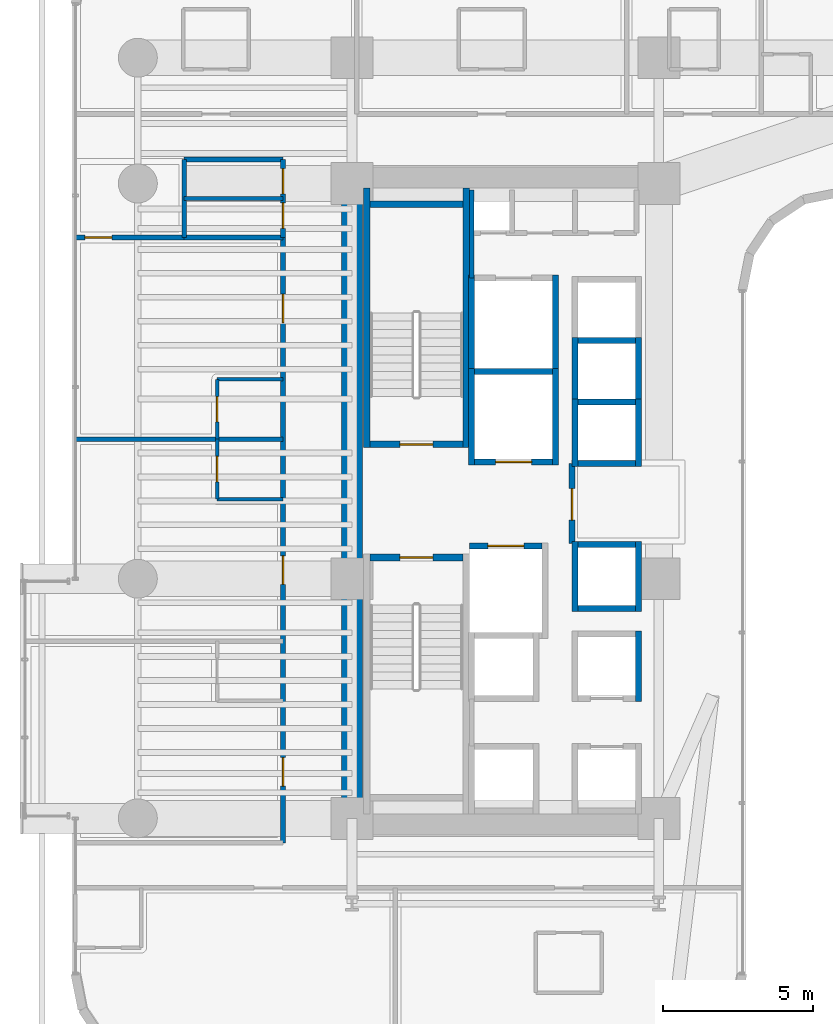
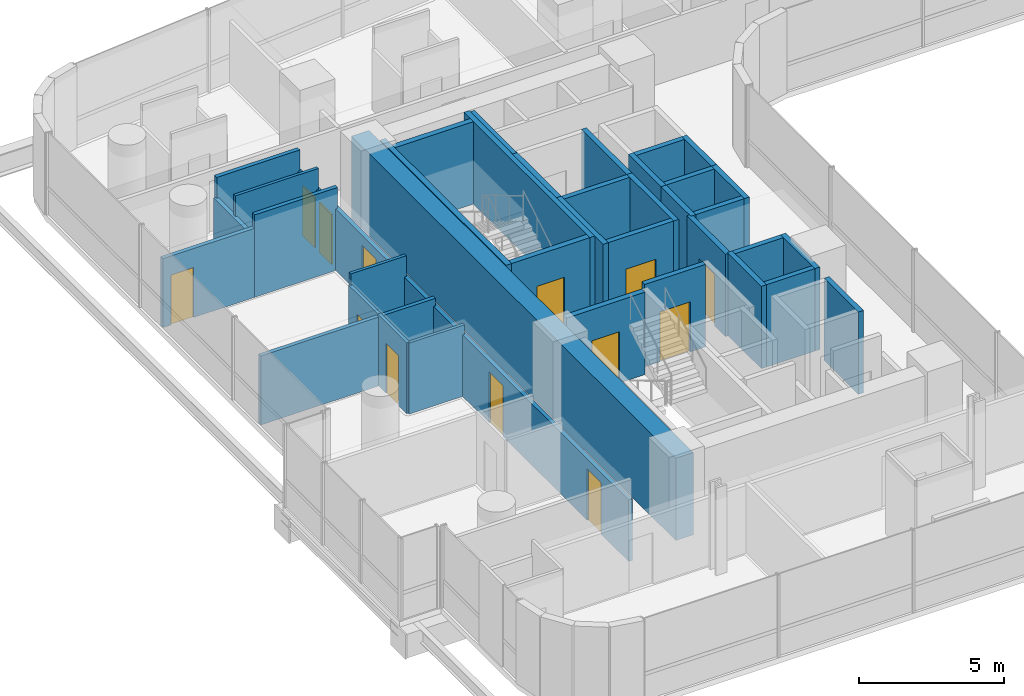
# One storey, part 39 of 50: 39 walls, 13 doors, 13 openings.
"""IFC4 building model written with IfcOpenShell, lengths in metres."""

from ifc_helpers import new_model, si_unit, direction, frame, frame_2d, origin, place, context, subcontext, project, spatial, rectangle, extrude, material, layer, layer_set, type_object, element, fill, save


model = new_model("IFC4")

# Units and contexts
model_context = context("Model", 3, precision=1e-05, world=origin(), true_north=direction((0.0, 1.0)))
body_context = subcontext(model_context, "Body", "Model", "MODEL_VIEW")
ifc_project = project(units=[si_unit("LENGTHUNIT", "METRE"), si_unit("AREAUNIT", "SQUARE_METRE"), si_unit("VOLUMEUNIT", "CUBIC_METRE"), si_unit("PLANEANGLEUNIT", "RADIAN"), si_unit("MASSUNIT", "GRAM", prefix="KILO")], contexts=[model_context])

# Site, building, storey
site_placement = place(None, origin())
site = spatial("IfcSite", under=ifc_project, at=site_placement, CompositionType="ELEMENT")
building_placement = place(site_placement, origin())
building = spatial("IfcBuilding", under=site, at=building_placement, Name="Valdorenza Pilgrim Sanctuary Tower", CompositionType="ELEMENT")
storey_placement = place(building_placement, frame((0.0, 0.0, 26.0)))
storey = spatial("IfcBuildingStorey", under=building, at=storey_placement, Name="L05", CompositionType="ELEMENT", Elevation=26.0)

# Walls
ifc_material_1 = material(Name="Acoustic twin-stud gypsum partition", Category="gypsum")
ifc_layer_1 = layer(ifc_material_1, 0.159912109375, Name="Acoustic twin-stud gypsum partition")
ifc_layer_set_1 = layer_set([ifc_layer_1], Name="Acoustic twin-stud gypsum partition")
wall_type_1 = type_object("IfcWallType", Name="WAL-COR-160", PredefinedType="PARTITIONING", material=ifc_layer_set_1)
wall_1_placement = place(storey_placement, frame((-18.64990234375, 7.449951171875, 0.0), z_axis=(0.0, 0.0, 1.0), x_axis=(0.0, 1.0, 0.0)))
element("IfcWall", 1, at=wall_1_placement, inside=storey, type_object=wall_type_1, Name="L05 Core A North Service West Wall", PredefinedType="PARTITIONING", context=body_context, shape_type="SweptSolid", body=[
    extrude(rectangle(XDim=2.929931640625, YDim=0.159912109375, at=frame_2d((1.46484375, 0.0))), origin(), (0.0, 0.0, 1.0), 3.4599609375),
])
wall_2_placement = place(storey_placement, frame((-28.25, 8.800048828125, 0.0), z_axis=(0.0, 0.0, 1.0), x_axis=(0.0, 1.0, 0.0)))
element("IfcWall", 2, at=wall_2_placement, inside=storey, type_object=wall_type_1, Name="L05 Washroom West Wall", PredefinedType="PARTITIONING", context=body_context, shape_type="SweptSolid", body=[
    extrude(rectangle(XDim=2.599853515625, YDim=0.159912109375, at=frame_2d((1.2998046875, 0.0))), origin(), (0.0, 0.0, 1.0), 2.5830078125),
])

# Wall, openings, doors
wall_3_placement = place(storey_placement, frame((-24.949951171875, 8.800048828125, 0.0), z_axis=(0.0, 0.0, 1.0), x_axis=(0.0, 1.0, 0.0)))
wall_3 = element("IfcWall", 3, at=wall_3_placement, inside=storey, type_object=wall_type_1, Name="L05 Washroom East Wall", PredefinedType="PARTITIONING", context=body_context, shape_type="SweptSolid", body=[
    extrude(rectangle(XDim=2.599853515625, YDim=0.159912109375, at=frame_2d((1.2998046875, 0.0))), origin(), (0.0, 0.0, 1.0), 2.5830078125),
])
opening_1_placement = place(wall_3_placement, frame((0.300048828125, 0.0, 0.0)))
opening_1 = element("IfcOpeningElement", 4, at=opening_1_placement, cuts=wall_3, Name="Opening DR-WC1", PredefinedType="OPENING", context=body_context, shape_type="SweptSolid", body=[
    extrude(rectangle(XDim=0.85009765625, YDim=2.10009765625, at=frame_2d((0.425048828125, 1.050048828125))), frame((0.0, 0.0947265625, 0.0), z_axis=(0.0, -1.0, 0.0), x_axis=(1.0, 0.0, 0.0)), (0.0, 0.0, 1.0), 0.189697265625),
])
opening_2_placement = place(wall_3_placement, frame((1.449951171875, 0.0, 0.0)))
opening_2 = element("IfcOpeningElement", 5, at=opening_2_placement, cuts=wall_3, Name="Opening DR-WC1", PredefinedType="OPENING", context=body_context, shape_type="SweptSolid", body=[
    extrude(rectangle(XDim=0.85009765625, YDim=2.10009765625, at=frame_2d((0.425048828125, 1.050048828125))), frame((0.0, 0.0947265625, 0.0), z_axis=(0.0, -1.0, 0.0), x_axis=(1.0, 0.0, 0.0)), (0.0, 0.0, 1.0), 0.189697265625),
])
ifc_material_2 = material(Name="Moisture-resistant lacquered timber", Category="wood")
door_type_1 = type_object("IfcDoorType", Name="DR-BATH-850", OperationType="NOTDEFINED", PredefinedType="DOOR", material=ifc_material_2)
door_1_placement = place(opening_1_placement, origin())
door_1 = element("IfcDoor", 6, at=door_1_placement, inside=storey, type_object=door_type_1, Name="L05 Accessible Washroom Door", OperationType="SINGLE_SWING_RIGHT", OverallHeight=2.10009765625, OverallWidth=0.85009765625, PredefinedType="DOOR", context=body_context, shape_type="SweptSolid", body=[
    extrude(rectangle(XDim=0.85009765625, YDim=2.10009765625, at=frame_2d((0.425048828125, 1.050048828125))), frame((0.0, 0.02490234375, 0.0), z_axis=(0.0, -1.0, 0.0), x_axis=(1.0, 0.0, 0.0)), (0.0, 0.0, 1.0), 0.050048828125),
])
fill(opening_1, door_1)
door_2_placement = place(opening_2_placement, origin())
door_2 = element("IfcDoor", 7, at=door_2_placement, inside=storey, type_object=door_type_1, Name="L05 Public Washroom Door", OperationType="SINGLE_SWING_LEFT", OverallHeight=2.10009765625, OverallWidth=0.85009765625, PredefinedType="DOOR", context=body_context, shape_type="SweptSolid", body=[
    extrude(rectangle(XDim=0.85009765625, YDim=2.10009765625, at=frame_2d((0.425048828125, 1.050048828125))), frame((0.0, 0.02490234375, 0.0), z_axis=(0.0, -1.0, 0.0), x_axis=(1.0, 0.0, 0.0)), (0.0, 0.0, 1.0), 0.050048828125),
])
fill(opening_2, door_2)

# Walls
for number, where, z_axis, x_axis, name in (
    (8, (-28.25, 8.800048828125, 0.0), (0.0, 0.0, 1.0), (1.0, 0.0, 0.0), "L05 Washroom South Wall"),
    (9, (-28.25, 11.39990234375, 0.0), (0.0, 0.0, 1.0), (1.0, 0.0, 0.0), "L05 Washroom North Wall"),
):
    element("IfcWall", number, at=place(storey_placement, frame(where, z_axis=z_axis, x_axis=x_axis)), inside=storey, type_object=wall_type_1, Name=name, PredefinedType="PARTITIONING", context=body_context, shape_type="SweptSolid", body=[
        extrude(rectangle(XDim=3.300048828125, YDim=0.159912109375, at=frame_2d((1.64990234375, 0.0))), origin(), (0.0, 0.0, 1.0), 3.4599609375),
    ])

# Wall, openings, doors
wall_4_placement = place(storey_placement, frame((-24.949951171875, -11.419921875, 0.0), z_axis=(0.0, 0.0, 1.0), x_axis=(0.0, 1.0, 0.0)))
wall_4 = element("IfcWall", 10, at=wall_4_placement, inside=storey, type_object=wall_type_1, Name="L05 West Wing Corridor Wall", PredefinedType="PARTITIONING", context=body_context, shape_type="SweptSolid", body=[
    extrude(rectangle(XDim=20.219970703125, YDim=0.159912109375, at=frame_2d((10.10986328125, 0.0))), origin(), (0.0, 0.0, 1.0), 2.5830078125),
])
opening_3_placement = place(wall_4_placement, frame((1.89501953125, 0.0, 0.0)))
opening_3 = element("IfcOpeningElement", 11, at=opening_3_placement, cuts=wall_4, Name="Opening DR-UN1", PredefinedType="OPENING", context=body_context, shape_type="SweptSolid", body=[
    extrude(rectangle(XDim=0.949951171875, YDim=2.14990234375, at=frame_2d((0.47509765625, 1.074951171875))), frame((0.0, 0.0947265625, 0.0), z_axis=(0.0, -1.0, 0.0), x_axis=(1.0, 0.0, 0.0)), (0.0, 0.0, 1.0), 0.189697265625),
])
opening_4_placement = place(wall_4_placement, frame((8.635009765625, 0.0, 0.0)))
opening_4 = element("IfcOpeningElement", 12, at=opening_4_placement, cuts=wall_4, Name="Opening DR-UN1", PredefinedType="OPENING", context=body_context, shape_type="SweptSolid", body=[
    extrude(rectangle(XDim=0.949951171875, YDim=2.14990234375, at=frame_2d((0.47509765625, 1.074951171875))), frame((0.0, 0.0947265625, 0.0), z_axis=(0.0, -1.0, 0.0), x_axis=(1.0, 0.0, 0.0)), (0.0, 0.0, 1.0), 0.189697265625),
])
opening_5_placement = place(wall_4_placement, frame((17.375, 0.0, 0.0)))
opening_5 = element("IfcOpeningElement", 13, at=opening_5_placement, cuts=wall_4, Name="Opening DR-UN1", PredefinedType="OPENING", context=body_context, shape_type="SweptSolid", body=[
    extrude(rectangle(XDim=0.949951171875, YDim=2.14990234375, at=frame_2d((0.47509765625, 1.074951171875))), frame((0.0, 0.0947265625, 0.0), z_axis=(0.0, -1.0, 0.0), x_axis=(1.0, 0.0, 0.0)), (0.0, 0.0, 1.0), 0.189697265625),
])
ifc_material_3 = material(Name="Solid-core European oak timber", Category="wood")
door_type_2 = type_object("IfcDoorType", Name="DR-UNIT-950", OperationType="NOTDEFINED", PredefinedType="DOOR", material=ifc_material_3)
door_3_placement = place(opening_3_placement, frame((0.949951171875, 0.0, 0.0), z_axis=(0.0, 0.0, 1.0), x_axis=(-1.0, 0.0, 0.0)))
door_3 = element("IfcDoor", 14, at=door_3_placement, inside=storey, type_object=door_type_2, Name="L05 Pilgrim Guest Room L05-W1 Entrance Door", OperationType="SINGLE_SWING_LEFT", OverallHeight=2.14990234375, OverallWidth=0.949951171875, PredefinedType="DOOR", context=body_context, shape_type="SweptSolid", body=[
    extrude(rectangle(XDim=0.949951171875, YDim=2.14990234375, at=frame_2d((0.47509765625, 1.074951171875))), frame((0.0, 0.02490234375, 0.0), z_axis=(0.0, -1.0, 0.0), x_axis=(1.0, 0.0, 0.0)), (0.0, 0.0, 1.0), 0.050048828125),
])
fill(opening_3, door_3)
door_4_placement = place(opening_4_placement, frame((0.949951171875, 0.0, 0.0), z_axis=(0.0, 0.0, 1.0), x_axis=(-1.0, 0.0, 0.0)))
door_4 = element("IfcDoor", 15, at=door_4_placement, inside=storey, type_object=door_type_2, Name="L05 Pilgrim Guest Room L05-W2 Entrance Door", OperationType="SINGLE_SWING_LEFT", OverallHeight=2.14990234375, OverallWidth=0.949951171875, PredefinedType="DOOR", context=body_context, shape_type="SweptSolid", body=[
    extrude(rectangle(XDim=0.949951171875, YDim=2.14990234375, at=frame_2d((0.47509765625, 1.074951171875))), frame((0.0, 0.02490234375, 0.0), z_axis=(0.0, -1.0, 0.0), x_axis=(1.0, 0.0, 0.0)), (0.0, 0.0, 1.0), 0.050048828125),
])
fill(opening_4, door_4)
door_5_placement = place(opening_5_placement, frame((0.949951171875, 0.0, 0.0), z_axis=(0.0, 0.0, 1.0), x_axis=(-1.0, 0.0, 0.0)))
door_5 = element("IfcDoor", 16, at=door_5_placement, inside=storey, type_object=door_type_2, Name="L05 Pilgrim Guest Room L05-W3 Entrance Door", OperationType="SINGLE_SWING_LEFT", OverallHeight=2.14990234375, OverallWidth=0.949951171875, PredefinedType="DOOR", context=body_context, shape_type="SweptSolid", body=[
    extrude(rectangle(XDim=0.949951171875, YDim=2.14990234375, at=frame_2d((0.47509765625, 1.074951171875))), frame((0.0, 0.02490234375, 0.0), z_axis=(0.0, -1.0, 0.0), x_axis=(1.0, 0.0, 0.0)), (0.0, 0.0, 1.0), 0.050048828125),
])
fill(opening_5, door_5)

# Wall, opening, door
wall_5_placement = place(storey_placement, frame((-31.889892578125, 8.800048828125, 0.0), z_axis=(0.0, 0.0, 1.0), x_axis=(1.0, 0.0, 0.0)))
wall_5 = element("IfcWall", 17, at=wall_5_placement, inside=storey, type_object=wall_type_1, Name="L05 West North Alcove Wall", PredefinedType="PARTITIONING", context=body_context, shape_type="SweptSolid", body=[
    extrude(rectangle(XDim=3.639892578125, YDim=0.159912109375, at=frame_2d((1.81982421875, 0.0))), origin(), (0.0, 0.0, 1.0), 2.89599609375),
])
opening_6_placement = place(wall_5_placement, frame((0.320068359375, 0.0, 0.0)))
opening_6 = element("IfcOpeningElement", 18, at=opening_6_placement, cuts=wall_5, Name="Opening DR-RM1", PredefinedType="OPENING", context=body_context, shape_type="SweptSolid", body=[
    extrude(rectangle(XDim=0.89990234375, YDim=2.10009765625, at=frame_2d((0.449951171875, 1.050048828125))), frame((0.0, 0.0947265625, 0.0), z_axis=(0.0, -1.0, 0.0), x_axis=(1.0, 0.0, 0.0)), (0.0, 0.0, 1.0), 0.189697265625),
])
door_type_3 = type_object("IfcDoorType", Name="DR-ROOM-900", OperationType="NOTDEFINED", PredefinedType="DOOR", material=ifc_material_3)
door_6_placement = place(opening_6_placement, origin())
door_6 = element("IfcDoor", 19, at=door_6_placement, inside=storey, type_object=door_type_3, Name="L05 Pilgrim Scholar Office L05-WN Door", OperationType="SINGLE_SWING_RIGHT", OverallHeight=2.10009765625, OverallWidth=0.89990234375, PredefinedType="DOOR", context=body_context, shape_type="SweptSolid", body=[
    extrude(rectangle(XDim=0.89990234375, YDim=2.10009765625, at=frame_2d((0.449951171875, 1.050048828125))), frame((0.0, 0.02490234375, 0.0), z_axis=(0.0, -1.0, 0.0), x_axis=(1.0, 0.0, 0.0)), (0.0, 0.0, 1.0), 0.050048828125),
])
fill(opening_6, door_6)

# Wall
ifc_material_4 = material(Name="Concrete C60/75", Category="concrete")
ifc_layer_2 = layer(ifc_material_4, 0.699951171875, Name="Concrete C60/75")
ifc_layer_set_2 = layer_set([ifc_layer_2], Name="Concrete C60/75")
wall_type_2 = type_object("IfcWallType", Name="WAL-COR-700", PredefinedType="SHEAR", material=ifc_layer_set_2)
wall_6_placement = place(storey_placement, frame((-22.64990234375, -11.14990234375, 0.0), z_axis=(0.0, 0.0, 1.0), x_axis=(0.0, 1.0, 0.0)))
element("IfcWall", 20, at=wall_6_placement, inside=storey, type_object=wall_type_2, Name="L05 Split Core A Shear Wall W", PredefinedType="SHEAR", context=body_context, shape_type="SweptSolid", body=[
    extrude(rectangle(XDim=22.2998046875, YDim=0.699951171875, at=frame_2d((11.14990234375, 0.0))), origin(), (0.0, 0.0, 1.0), 3.4599609375),
])

# Wall, opening, door
ifc_material_5 = material(Name="Gypsum shaftwall partition", Category="gypsum")
ifc_layer_3 = layer(ifc_material_5, 0.199951171875, Name="Gypsum shaftwall partition")
ifc_layer_set_3 = layer_set([ifc_layer_3], Name="Gypsum shaftwall partition")
wall_type_3 = type_object("IfcWallType", Name="WAL-FFL-200", PredefinedType="PARTITIONING", material=ifc_layer_set_3)
wall_7_placement = place(storey_placement, frame((-15.300048828125, -1.419921875, 0.0), z_axis=(0.0, 0.0, 1.0), x_axis=(0.0, 1.0, 0.0)))
wall_7 = element("IfcWall", 21, at=wall_7_placement, inside=storey, type_object=wall_type_3, Name="L05 Core A Firefighting Lobby East Wall", PredefinedType="PARTITIONING", context=body_context, shape_type="SweptSolid", body=[
    extrude(rectangle(XDim=2.669921875, YDim=0.199951171875, at=frame_2d((1.3349609375, 0.0))), origin(), (0.0, 0.0, 1.0), 3.4599609375),
])
opening_7_placement = place(wall_7_placement, frame((0.780029296875, 0.0, 0.0)))
opening_7 = element("IfcOpeningElement", 22, at=opening_7_placement, cuts=wall_7, Name="Opening DR-FL1", PredefinedType="OPENING", context=body_context, shape_type="SweptSolid", body=[
    extrude(rectangle(XDim=1.050048828125, YDim=2.14990234375, at=frame_2d((0.52490234375, 1.074951171875))), frame((0.0, 0.11474609375, 0.0), z_axis=(0.0, -1.0, 0.0), x_axis=(1.0, 0.0, 0.0)), (0.0, 0.0, 1.0), 0.229736328125),
])
ifc_material_6 = material(Name="Painted galvanized steel", Category="steel")
door_type_4 = type_object("IfcDoorType", Name="DR-FFL-1050", OperationType="NOTDEFINED", PredefinedType="DOOR", material=ifc_material_6)
door_7_placement = place(opening_7_placement, origin())
door_7 = element("IfcDoor", 23, at=door_7_placement, inside=storey, type_object=door_type_4, Name="L05 Core A Firefighting Lobby Door", OperationType="SINGLE_SWING_RIGHT", OverallHeight=2.14990234375, OverallWidth=1.050048828125, PredefinedType="DOOR", context=body_context, shape_type="SweptSolid", body=[
    extrude(rectangle(XDim=1.050048828125, YDim=2.14990234375, at=frame_2d((0.52490234375, 1.074951171875))), frame((0.0, 0.02490234375, 0.0), z_axis=(0.0, -1.0, 0.0), x_axis=(1.0, 0.0, 0.0)), (0.0, 0.0, 1.0), 0.050048828125),
])
fill(opening_7, door_7)

# Walls
ifc_material_7 = material(Name="Moisture-resistant gypsum partition", Category="gypsum")
ifc_layer_4 = layer(ifc_material_7, 0.1201171875, Name="Moisture-resistant gypsum partition")
ifc_layer_set_4 = layer_set([ifc_layer_4], Name="Moisture-resistant gypsum partition")
wall_type_4 = type_object("IfcWallType", Name="WAL-INT-120", PredefinedType="PARTITIONING", material=ifc_layer_set_4)
wall_8_placement = place(storey_placement, frame((-28.25, 10.10009765625, 0.0), z_axis=(0.0, 0.0, 1.0), x_axis=(1.0, 0.0, 0.0)))
element("IfcWall", 24, at=wall_8_placement, inside=storey, type_object=wall_type_4, Name="L05 Washroom Divider Wall", PredefinedType="PARTITIONING", context=body_context, shape_type="SweptSolid", body=[
    extrude(rectangle(XDim=3.300048828125, YDim=0.1201171875, at=frame_2d((1.64990234375, 0.0))), origin(), (0.0, 0.0, 1.0), 3.4599609375),
])
wall_9_placement = place(storey_placement, frame((-27.14990234375, 0.06005859375, 0.0), z_axis=(0.0, 0.0, 1.0), x_axis=(1.0, 0.0, 0.0)))
element("IfcWall", 25, at=wall_9_placement, inside=storey, type_object=wall_type_4, Name="L05 Pilgrim Guest Room L05-W2 En-suite South Wall", PredefinedType="PARTITIONING", context=body_context, shape_type="SweptSolid", body=[
    extrude(rectangle(XDim=2.199951171875, YDim=0.1201171875, at=frame_2d((1.10009765625, 0.0))), origin(), (0.0, 0.0, 1.0), 2.97900390625),
])

# Wall, opening, door
wall_10_placement = place(storey_placement, frame((-27.14990234375, 0.06005859375, 0.0), z_axis=(0.0, 0.0, 1.0), x_axis=(0.0, 1.0, 0.0)))
wall_10 = element("IfcWall", 26, at=wall_10_placement, inside=storey, type_object=wall_type_4, Name="L05 Pilgrim Guest Room L05-W2 En-suite Door Wall", PredefinedType="PARTITIONING", context=body_context, shape_type="SweptSolid", body=[
    extrude(rectangle(XDim=2.0, YDim=0.1201171875, at=frame_2d((1.0, 0.0))), origin(), (0.0, 0.0, 1.0), 2.97900390625),
])
opening_8_placement = place(wall_10_placement, frame((0.574951171875, 0.0, 0.0)))
opening_8 = element("IfcOpeningElement", 27, at=opening_8_placement, cuts=wall_10, Name="Opening DR-WC1", PredefinedType="OPENING", context=body_context, shape_type="SweptSolid", body=[
    extrude(rectangle(XDim=0.85009765625, YDim=2.10009765625, at=frame_2d((0.425048828125, 1.050048828125))), frame((0.0, 0.074951171875, 0.0), z_axis=(0.0, -1.0, 0.0), x_axis=(1.0, 0.0, 0.0)), (0.0, 0.0, 1.0), 0.14990234375),
])
door_8_placement = place(opening_8_placement, origin())
door_8 = element("IfcDoor", 28, at=door_8_placement, inside=storey, type_object=door_type_1, Name="L05 Pilgrim Guest Room L05-W2 En-suite Bathroom Door", OperationType="SINGLE_SWING_RIGHT", OverallHeight=2.10009765625, OverallWidth=0.85009765625, PredefinedType="DOOR", context=body_context, shape_type="SweptSolid", body=[
    extrude(rectangle(XDim=0.85009765625, YDim=2.10009765625, at=frame_2d((0.425048828125, 1.050048828125))), frame((0.0, 0.02490234375, 0.0), z_axis=(0.0, -1.0, 0.0), x_axis=(1.0, 0.0, 0.0)), (0.0, 0.0, 1.0), 0.050048828125),
])
fill(opening_8, door_8)

# Wall
wall_11_placement = place(storey_placement, frame((-27.14990234375, 4.06005859375, 0.0), z_axis=(0.0, 0.0, 1.0), x_axis=(1.0, 0.0, 0.0)))
element("IfcWall", 29, at=wall_11_placement, inside=storey, type_object=wall_type_4, Name="L05 Pilgrim Guest Room L05-W3 En-suite North Wall", PredefinedType="PARTITIONING", context=body_context, shape_type="SweptSolid", body=[
    extrude(rectangle(XDim=2.199951171875, YDim=0.1201171875, at=frame_2d((1.10009765625, 0.0))), origin(), (0.0, 0.0, 1.0), 3.4599609375),
])

# Wall, opening, door
wall_12_placement = place(storey_placement, frame((-27.14990234375, 2.06005859375, 0.0), z_axis=(0.0, 0.0, 1.0), x_axis=(0.0, 1.0, 0.0)))
wall_12 = element("IfcWall", 30, at=wall_12_placement, inside=storey, type_object=wall_type_4, Name="L05 Pilgrim Guest Room L05-W3 En-suite Door Wall", PredefinedType="PARTITIONING", context=body_context, shape_type="SweptSolid", body=[
    extrude(rectangle(XDim=2.0, YDim=0.1201171875, at=frame_2d((1.0, 0.0))), origin(), (0.0, 0.0, 1.0), 2.97900390625),
])
opening_9_placement = place(wall_12_placement, frame((0.574951171875, 0.0, 0.0)))
opening_9 = element("IfcOpeningElement", 31, at=opening_9_placement, cuts=wall_12, Name="Opening DR-WC1", PredefinedType="OPENING", context=body_context, shape_type="SweptSolid", body=[
    extrude(rectangle(XDim=0.85009765625, YDim=2.10009765625, at=frame_2d((0.425048828125, 1.050048828125))), frame((0.0, 0.074951171875, 0.0), z_axis=(0.0, -1.0, 0.0), x_axis=(1.0, 0.0, 0.0)), (0.0, 0.0, 1.0), 0.14990234375),
])
door_9_placement = place(opening_9_placement, origin())
door_9 = element("IfcDoor", 32, at=door_9_placement, inside=storey, type_object=door_type_1, Name="L05 Pilgrim Guest Room L05-W3 En-suite Bathroom Door", OperationType="SINGLE_SWING_RIGHT", OverallHeight=2.10009765625, OverallWidth=0.85009765625, PredefinedType="DOOR", context=body_context, shape_type="SweptSolid", body=[
    extrude(rectangle(XDim=0.85009765625, YDim=2.10009765625, at=frame_2d((0.425048828125, 1.050048828125))), frame((0.0, 0.02490234375, 0.0), z_axis=(0.0, -1.0, 0.0), x_axis=(1.0, 0.0, 0.0)), (0.0, 0.0, 1.0), 0.050048828125),
])
fill(opening_9, door_9)

# Walls
ifc_material_8 = material(Name="Autoclaved aerated concrete blockwork", Category="masonry")
ifc_layer_5 = layer(ifc_material_8, 0.199951171875, Name="Autoclaved aerated concrete blockwork")
ifc_layer_set_5 = layer_set([ifc_layer_5], Name="Autoclaved aerated concrete blockwork")
wall_type_5 = type_object("IfcWallType", Name="WAL-SHF-200", PredefinedType="MOVABLE", material=ifc_layer_set_5)
for number, where, z_axis, x_axis, name in (
    (33, (-18.64990234375, 1.199951171875, 0.0), (0.0, 0.0, 1.0), (0.0, 1.0, 0.0), "L05 Lift FFL-01 Hoistway Wall West"),
    (34, (-15.85009765625, 1.199951171875, 0.0), (0.0, 0.0, 1.0), (0.0, 1.0, 0.0), "L05 Lift FFL-01 Hoistway Wall East"),
):
    element("IfcWall", number, at=place(storey_placement, frame(where, z_axis=z_axis, x_axis=x_axis)), inside=storey, type_object=wall_type_5, Name=name, PredefinedType="MOVABLE", context=body_context, shape_type="SweptSolid", body=[
        extrude(rectangle(XDim=3.22509765625, YDim=0.199951171875, at=frame_2d((1.612548828125, 0.0))), origin(), (0.0, 0.0, 1.0), 3.4599609375),
    ])

# Wall, opening, door
wall_13_placement = place(storey_placement, frame((-18.550048828125, 1.300048828125, 0.0), z_axis=(0.0, 0.0, 1.0), x_axis=(1.0, 0.0, 0.0)))
wall_13 = element("IfcWall", 35, at=wall_13_placement, inside=storey, type_object=wall_type_5, Name="L05 Lift FFL-01 Hoistway Wall South", PredefinedType="MOVABLE", context=body_context, shape_type="SweptSolid", body=[
    extrude(rectangle(XDim=2.60009765625, YDim=0.199951171875, at=frame_2d((1.300048828125, 0.0))), origin(), (0.0, 0.0, 1.0), 3.4599609375),
])
opening_10_placement = place(wall_13_placement, frame((0.699951171875, 0.0, 0.0)))
opening_10 = element("IfcOpeningElement", 36, at=opening_10_placement, cuts=wall_13, Name="Opening LD-02", PredefinedType="OPENING", context=body_context, shape_type="SweptSolid", body=[
    extrude(rectangle(XDim=1.199951171875, YDim=2.10009765625, at=frame_2d((0.60009765625, 1.050048828125))), frame((0.0, 0.11474609375, 0.0), z_axis=(0.0, -1.0, 0.0), x_axis=(1.0, 0.0, 0.0)), (0.0, 0.0, 1.0), 0.229736328125),
])
ifc_material_9 = material(Name="Brushed stainless steel Grade 316", Category="steel")
door_type_5 = type_object("IfcDoorType", Name="DR-LFT-1200", OperationType="DOUBLE_DOOR_SLIDING", PredefinedType="DOOR", material=ifc_material_9)
door_10_placement = place(opening_10_placement, origin())
door_10 = element("IfcDoor", 37, at=door_10_placement, inside=storey, type_object=door_type_5, Name="L05 Lift FFL-01 Sliding Landing Door", OperationType="DOUBLE_DOOR_SLIDING", OverallHeight=2.10009765625, OverallWidth=1.199951171875, PredefinedType="DOOR", context=body_context, shape_type="SweptSolid", body=[
    extrude(rectangle(XDim=1.199951171875, YDim=2.10009765625, at=frame_2d((0.60009765625, 1.050048828125))), frame((0.0, 0.02490234375, 0.0), z_axis=(0.0, -1.0, 0.0), x_axis=(1.0, 0.0, 0.0)), (0.0, 0.0, 1.0), 0.050048828125),
])
fill(opening_10, door_10)

# Wall
wall_14_placement = place(storey_placement, frame((-18.550048828125, 4.324951171875, 0.0), z_axis=(0.0, 0.0, 1.0), x_axis=(1.0, 0.0, 0.0)))
element("IfcWall", 38, at=wall_14_placement, inside=storey, type_object=wall_type_5, Name="L05 Lift FFL-01 Hoistway Wall North", PredefinedType="MOVABLE", context=body_context, shape_type="SweptSolid", body=[
    extrude(rectangle(XDim=2.60009765625, YDim=0.199951171875, at=frame_2d((1.300048828125, 0.0))), origin(), (0.0, 0.0, 1.0), 3.4599609375),
])

# Wall, opening, door
wall_15_placement = place(storey_placement, frame((-18.719970703125, -1.5, 0.0), z_axis=(0.0, 0.0, 1.0), x_axis=(1.0, 0.0, 0.0)))
wall_15 = element("IfcWall", 39, at=wall_15_placement, inside=storey, type_object=wall_type_5, Name="L05 Lift FFL-02 Hoistway Wall North", PredefinedType="MOVABLE", context=body_context, shape_type="SweptSolid", body=[
    extrude(rectangle(XDim=2.419921875, YDim=0.199951171875, at=frame_2d((1.2099609375, 0.0))), origin(), (0.0, 0.0, 1.0), 3.4599609375),
])
opening_11_placement = place(wall_15_placement, frame((0.610107421875, 0.0, 0.0)))
opening_11 = element("IfcOpeningElement", 40, at=opening_11_placement, cuts=wall_15, Name="Opening LD-02", PredefinedType="OPENING", context=body_context, shape_type="SweptSolid", body=[
    extrude(rectangle(XDim=1.199951171875, YDim=2.10009765625, at=frame_2d((0.60009765625, 1.050048828125))), frame((0.0, 0.11474609375, 0.0), z_axis=(0.0, -1.0, 0.0), x_axis=(1.0, 0.0, 0.0)), (0.0, 0.0, 1.0), 0.229736328125),
])
door_11_placement = place(opening_11_placement, origin())
door_11 = element("IfcDoor", 41, at=door_11_placement, inside=storey, type_object=door_type_5, Name="L05 Lift FFL-02 Sliding Landing Door", OperationType="DOUBLE_DOOR_SLIDING", OverallHeight=2.10009765625, OverallWidth=1.199951171875, PredefinedType="DOOR", context=body_context, shape_type="SweptSolid", body=[
    extrude(rectangle(XDim=1.199951171875, YDim=2.10009765625, at=frame_2d((0.60009765625, 1.050048828125))), frame((0.0, 0.02490234375, 0.0), z_axis=(0.0, -1.0, 0.0), x_axis=(1.0, 0.0, 0.0)), (0.0, 0.0, 1.0), 0.050048828125),
])
fill(opening_11, door_11)

# Walls
for number, where, z_axis, x_axis, name in (
    (42, (-18.64990234375, 4.22509765625, 0.0), (0.0, 0.0, 1.0), (0.0, 1.0, 0.0), "L05 Lift SVL-01 Hoistway Wall West"),
    (43, (-15.85009765625, 4.22509765625, 0.0), (0.0, 0.0, 1.0), (0.0, 1.0, 0.0), "L05 Lift SVL-01 Hoistway Wall East"),
):
    element("IfcWall", number, at=place(storey_placement, frame(where, z_axis=z_axis, x_axis=x_axis)), inside=storey, type_object=wall_type_5, Name=name, PredefinedType="MOVABLE", context=body_context, shape_type="SweptSolid", body=[
        extrude(rectangle(XDim=3.324951171875, YDim=0.199951171875, at=frame_2d((1.66259765625, 0.0))), origin(), (0.0, 0.0, 1.0), 3.4599609375),
    ])
wall_16_placement = place(storey_placement, frame((-13.080078125, -6.699951171875, 0.0), z_axis=(0.0, 0.0, 1.0), x_axis=(0.0, 1.0, 0.0)))
element("IfcWall", 44, at=wall_16_placement, inside=storey, type_object=wall_type_5, Name="L05 Lift PL-02 Hoistway Wall East", PredefinedType="MOVABLE", context=body_context, shape_type="SweptSolid", body=[
    extrude(rectangle(XDim=2.349853515625, YDim=0.199951171875, at=frame_2d((1.1748046875, 0.0))), origin(), (0.0, 0.0, 1.0), 3.4599609375),
])
for number, where, z_axis, x_axis, name in (
    (45, (-15.199951171875, 1.14990234375, 0.0), (0.0, 0.0, 1.0), (0.0, 1.0, 0.0), "L05 Lift PL-06 Hoistway Wall West"),
    (46, (-13.080078125, 1.14990234375, 0.0), (0.0, 0.0, 1.0), (0.0, 1.0, 0.0), "L05 Lift PL-06 Hoistway Wall East"),
):
    element("IfcWall", number, at=place(storey_placement, frame(where, z_axis=z_axis, x_axis=x_axis)), inside=storey, type_object=wall_type_5, Name=name, PredefinedType="MOVABLE", context=body_context, shape_type="SweptSolid", body=[
        extrude(rectangle(XDim=2.25, YDim=0.199951171875, at=frame_2d((1.125, 0.0))), origin(), (0.0, 0.0, 1.0), 3.4599609375),
    ])
wall_17_placement = place(storey_placement, frame((-15.10009765625, 1.25, 0.0), z_axis=(0.0, 0.0, 1.0), x_axis=(1.0, 0.0, 0.0)))
element("IfcWall", 47, at=wall_17_placement, inside=storey, type_object=wall_type_5, Name="L05 Lift PL-06 Hoistway Wall South", PredefinedType="MOVABLE", context=body_context, shape_type="SweptSolid", body=[
    extrude(rectangle(XDim=1.920166015625, YDim=0.199951171875, at=frame_2d((0.9599609375, 0.0))), origin(), (0.0, 0.0, 1.0), 3.4599609375),
])
for number, where, z_axis, x_axis, name in (
    (48, (-15.199951171875, 3.199951171875, 0.0), (0.0, 0.0, 1.0), (0.0, 1.0, 0.0), "L05 Lift PL-09 Hoistway Wall West"),
    (49, (-13.080078125, 3.199951171875, 0.0), (0.0, 0.0, 1.0), (0.0, 1.0, 0.0), "L05 Lift PL-09 Hoistway Wall East"),
):
    element("IfcWall", number, at=place(storey_placement, frame(where, z_axis=z_axis, x_axis=x_axis)), inside=storey, type_object=wall_type_5, Name=name, PredefinedType="MOVABLE", context=body_context, shape_type="SweptSolid", body=[
        extrude(rectangle(XDim=2.25, YDim=0.199951171875, at=frame_2d((1.125, 0.0))), origin(), (0.0, 0.0, 1.0), 3.4599609375),
    ])
for number, where, z_axis, x_axis, name in (
    (50, (-15.10009765625, 3.300048828125, 0.0), (0.0, 0.0, 1.0), (1.0, 0.0, 0.0), "L05 Lift PL-09 Hoistway Wall South"),
    (51, (-15.10009765625, 5.35009765625, 0.0), (0.0, 0.0, 1.0), (1.0, 0.0, 0.0), "L05 Lift PL-09 Hoistway Wall North"),
):
    element("IfcWall", number, at=place(storey_placement, frame(where, z_axis=z_axis, x_axis=x_axis)), inside=storey, type_object=wall_type_5, Name=name, PredefinedType="MOVABLE", context=body_context, shape_type="SweptSolid", body=[
        extrude(rectangle(XDim=1.920166015625, YDim=0.199951171875, at=frame_2d((0.9599609375, 0.0))), origin(), (0.0, 0.0, 1.0), 3.4599609375),
    ])
for number, where, z_axis, x_axis, name in (
    (52, (-15.199951171875, -3.699951171875, 0.0), (0.0, 0.0, 1.0), (0.0, 1.0, 0.0), "L05 Lift PL-12 Hoistway Wall West"),
    (53, (-13.080078125, -3.699951171875, 0.0), (0.0, 0.0, 1.0), (0.0, 1.0, 0.0), "L05 Lift PL-12 Hoistway Wall East"),
):
    element("IfcWall", number, at=place(storey_placement, frame(where, z_axis=z_axis, x_axis=x_axis)), inside=storey, type_object=wall_type_5, Name=name, PredefinedType="MOVABLE", context=body_context, shape_type="SweptSolid", body=[
        extrude(rectangle(XDim=2.349853515625, YDim=0.199951171875, at=frame_2d((1.1748046875, 0.0))), origin(), (0.0, 0.0, 1.0), 3.4599609375),
    ])
for number, where, z_axis, x_axis, name in (
    (54, (-15.10009765625, -3.60009765625, 0.0), (0.0, 0.0, 1.0), (1.0, 0.0, 0.0), "L05 Lift PL-12 Hoistway Wall South"),
    (55, (-15.10009765625, -1.449951171875, 0.0), (0.0, 0.0, 1.0), (1.0, 0.0, 0.0), "L05 Lift PL-12 Hoistway Wall North"),
):
    element("IfcWall", number, at=place(storey_placement, frame(where, z_axis=z_axis, x_axis=x_axis)), inside=storey, type_object=wall_type_5, Name=name, PredefinedType="MOVABLE", context=body_context, shape_type="SweptSolid", body=[
        extrude(rectangle(XDim=1.920166015625, YDim=0.199951171875, at=frame_2d((0.9599609375, 0.0))), origin(), (0.0, 0.0, 1.0), 3.4599609375),
    ])
ifc_material_10 = material(Name="Concrete C40/50", Category="concrete")
ifc_layer_6 = layer(ifc_material_10, 0.219970703125, Name="Concrete C40/50")
ifc_layer_set_6 = layer_set([ifc_layer_6], Name="Concrete C40/50")
wall_type_6 = type_object("IfcWallType", Name="WAL-STR-SHF-220", PredefinedType="SHEAR", material=ifc_layer_set_6)
for number, where, z_axis, x_axis, name in (
    (56, (-22.159912109375, 1.780029296875, 0.0), (0.0, 0.0, 1.0), (0.0, 1.0, 0.0), "L05 ST-A1 Structural Stairwell Wall W"),
    (57, (-18.830078125, 1.780029296875, 0.0), (0.0, 0.0, 1.0), (0.0, 1.0, 0.0), "L05 ST-A1 Structural Stairwell Wall E"),
):
    element("IfcWall", number, at=place(storey_placement, frame(where, z_axis=z_axis, x_axis=x_axis)), inside=storey, type_object=wall_type_6, Name=name, PredefinedType="SHEAR", context=body_context, shape_type="SweptSolid", body=[
        extrude(rectangle(XDim=8.669921875, YDim=0.219970703125, at=frame_2d((4.3349609375, 0.0))), origin(), (0.0, 0.0, 1.0), 3.4599609375),
    ])

# Wall, opening, door
wall_18_placement = place(storey_placement, frame((-22.050048828125, 1.889892578125, 0.0), z_axis=(0.0, 0.0, 1.0), x_axis=(1.0, 0.0, 0.0)))
wall_18 = element("IfcWall", 58, at=wall_18_placement, inside=storey, type_object=wall_type_6, Name="L05 ST-A1 Structural Stairwell Wall S", PredefinedType="SHEAR", context=body_context, shape_type="SweptSolid", body=[
    extrude(rectangle(XDim=3.110107421875, YDim=0.219970703125, at=frame_2d((1.55517578125, 0.0))), origin(), (0.0, 0.0, 1.0), 3.4599609375),
])
opening_12_placement = place(wall_18_placement, frame((1.0, 0.0, 0.0)))
opening_12 = element("IfcOpeningElement", 59, at=opening_12_placement, cuts=wall_18, Name="Opening DR-ST1", PredefinedType="OPENING", context=body_context, shape_type="SweptSolid", body=[
    extrude(rectangle(XDim=1.10009765625, YDim=2.14990234375, at=frame_2d((0.550048828125, 1.074951171875))), frame((0.0, 0.125, 0.0), z_axis=(0.0, -1.0, 0.0), x_axis=(1.0, 0.0, 0.0)), (0.0, 0.0, 1.0), 0.249755859375),
])
door_type_6 = type_object("IfcDoorType", Name="DR-STAIR-1100", OperationType="NOTDEFINED", PredefinedType="DOOR", material=ifc_material_6)
door_12_placement = place(opening_12_placement, frame((1.10009765625, 0.0, 0.0), z_axis=(0.0, 0.0, 1.0), x_axis=(-1.0, 0.0, 0.0)))
door_12 = element("IfcDoor", 60, at=door_12_placement, inside=storey, type_object=door_type_6, Name="L05 Exit Stair ST-A1 Door", OperationType="SINGLE_SWING_LEFT", OverallHeight=2.14990234375, OverallWidth=1.10009765625, PredefinedType="DOOR", context=body_context, shape_type="SweptSolid", body=[
    extrude(rectangle(XDim=1.10009765625, YDim=2.14990234375, at=frame_2d((0.550048828125, 1.074951171875))), frame((0.0, 0.02490234375, 0.0), z_axis=(0.0, -1.0, 0.0), x_axis=(1.0, 0.0, 0.0)), (0.0, 0.0, 1.0), 0.050048828125),
])
fill(opening_12, door_12)

# Wall
wall_19_placement = place(storey_placement, frame((-22.050048828125, 9.909912109375, 0.0), z_axis=(0.0, 0.0, 1.0), x_axis=(1.0, 0.0, 0.0)))
element("IfcWall", 61, at=wall_19_placement, inside=storey, type_object=wall_type_6, Name="L05 ST-A1 Structural Stairwell Wall N", PredefinedType="SHEAR", context=body_context, shape_type="SweptSolid", body=[
    extrude(rectangle(XDim=3.110107421875, YDim=0.219970703125, at=frame_2d((1.55517578125, 0.0))), origin(), (0.0, 0.0, 1.0), 3.4599609375),
])

# Wall, opening, door
wall_20_placement = place(storey_placement, frame((-22.050048828125, -1.889892578125, 0.0), z_axis=(0.0, 0.0, 1.0), x_axis=(1.0, 0.0, 0.0)))
wall_20 = element("IfcWall", 62, at=wall_20_placement, inside=storey, type_object=wall_type_6, Name="L05 ST-A2 Structural Stairwell Wall N", PredefinedType="SHEAR", context=body_context, shape_type="SweptSolid", body=[
    extrude(rectangle(XDim=3.110107421875, YDim=0.219970703125, at=frame_2d((1.55517578125, 0.0))), origin(), (0.0, 0.0, 1.0), 3.4599609375),
])
opening_13_placement = place(wall_20_placement, frame((1.0, 0.0, 0.0)))
opening_13 = element("IfcOpeningElement", 63, at=opening_13_placement, cuts=wall_20, Name="Opening DR-ST1", PredefinedType="OPENING", context=body_context, shape_type="SweptSolid", body=[
    extrude(rectangle(XDim=1.10009765625, YDim=2.14990234375, at=frame_2d((0.550048828125, 1.074951171875))), frame((0.0, 0.125, 0.0), z_axis=(0.0, -1.0, 0.0), x_axis=(1.0, 0.0, 0.0)), (0.0, 0.0, 1.0), 0.249755859375),
])
door_13_placement = place(opening_13_placement, origin())
door_13 = element("IfcDoor", 64, at=door_13_placement, inside=storey, type_object=door_type_6, Name="L05 Exit Stair ST-A2 Door", OperationType="SINGLE_SWING_RIGHT", OverallHeight=2.14990234375, OverallWidth=1.10009765625, PredefinedType="DOOR", context=body_context, shape_type="SweptSolid", body=[
    extrude(rectangle(XDim=1.10009765625, YDim=2.14990234375, at=frame_2d((0.550048828125, 1.074951171875))), frame((0.0, 0.02490234375, 0.0), z_axis=(0.0, -1.0, 0.0), x_axis=(1.0, 0.0, 0.0)), (0.0, 0.0, 1.0), 0.050048828125),
])
fill(opening_13, door_13)

# Wall
ifc_layer_7 = layer(ifc_material_1, 0.14990234375, Name="Acoustic twin-stud gypsum partition")
ifc_layer_set_7 = layer_set([ifc_layer_7], Name="Acoustic twin-stud gypsum partition")
wall_type_7 = type_object("IfcWallType", Name="WAL-UNT-150", PredefinedType="PARTITIONING", material=ifc_layer_set_7)
wall_21_placement = place(storey_placement, frame((-31.889892578125, 2.06005859375, 0.0), z_axis=(0.0, 0.0, 1.0), x_axis=(1.0, 0.0, 0.0)))
element("IfcWall", 65, at=wall_21_placement, inside=storey, type_object=wall_type_7, Name="L05 West Demising 2", PredefinedType="PARTITIONING", context=body_context, shape_type="SweptSolid", body=[
    extrude(rectangle(XDim=6.93994140625, YDim=0.14990234375, at=frame_2d((3.469970703125, 0.0))), origin(), (0.0, 0.0, 1.0), 2.89599609375),
])

save(model, "model.ifc")
